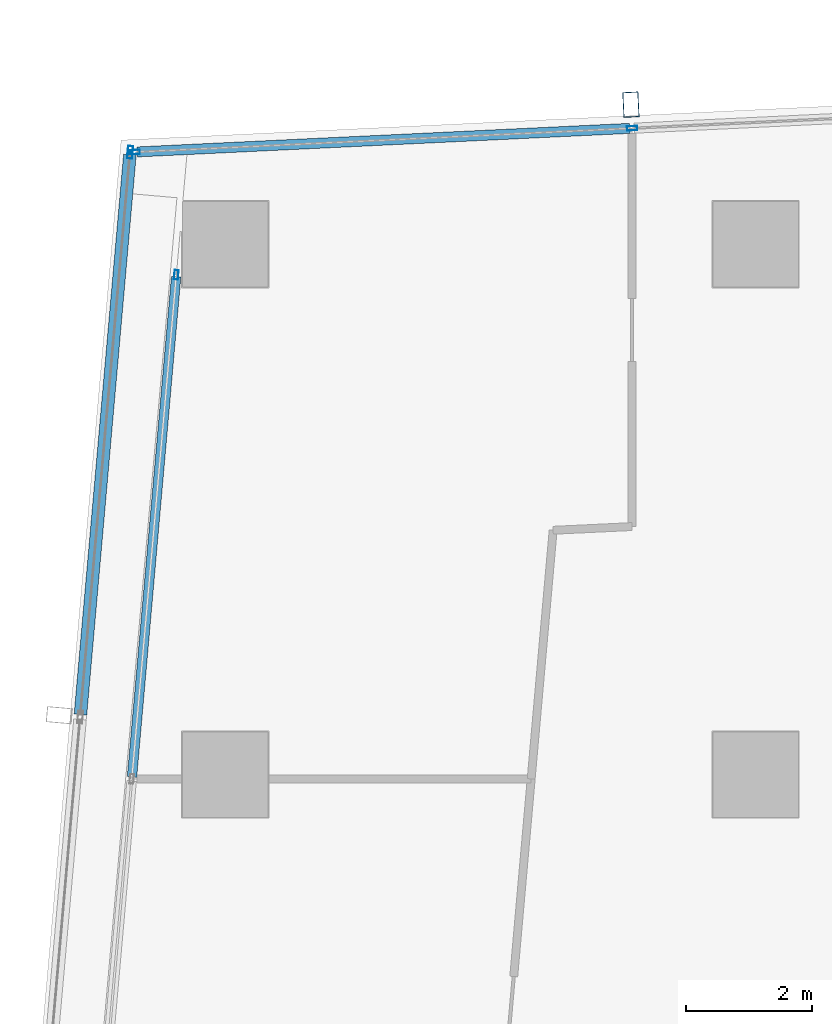
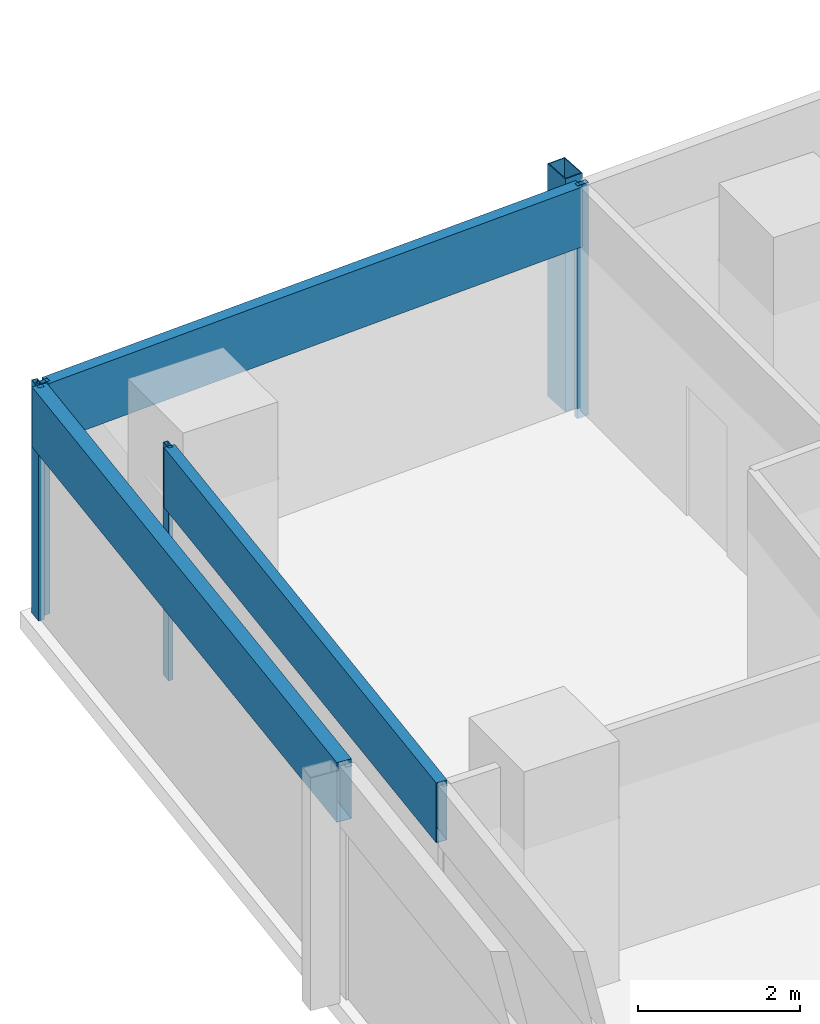
# One storey, part 17 of 39: 8 members, 3 elements without a shape of their own.
"""IFC4 building model written with IfcOpenShell, lengths in metres."""

from ifc_helpers import new_model, si_unit, direction, frame, origin, origin_2d, place, context, subcontext, project, spatial, hollow_rectangle, extrude, material, material_profile, profile_set, type_object, element, aggregate, save


model = new_model("IFC4")

# Units and contexts
model_context = context("Model", 3, precision=1e-05, world=origin(), true_north=direction((0.0, 1.0)))
body_context = subcontext(model_context, "Body", "Model", "MODEL_VIEW")
ifc_project = project(units=[si_unit("LENGTHUNIT", "METRE"), si_unit("AREAUNIT", "SQUARE_METRE"), si_unit("VOLUMEUNIT", "CUBIC_METRE"), si_unit("PLANEANGLEUNIT", "RADIAN"), si_unit("MASSUNIT", "GRAM", prefix="KILO")], contexts=[model_context])

# Site, building, storey
site_placement = place(None, origin())
site = spatial("IfcSite", under=ifc_project, at=site_placement, CompositionType="ELEMENT")
building_placement = place(site_placement, origin())
building = spatial("IfcBuilding", under=site, at=building_placement, Name="Rekha Terrace Tower", CompositionType="ELEMENT")
storey_placement = place(building_placement, frame((0.0, 0.0, 225.199951171875)))
storey = spatial("IfcBuildingStorey", under=building, at=storey_placement, Name="L57", CompositionType="ELEMENT", Elevation=225.199951171875)

# Curtain wall, member
ifc_material_1 = material(Name="Aluminium framing", Category="aluminium")
curtain_wall_type_1 = type_object("IfcCurtainWallType", Name="CW3 north unitised glazing", PredefinedType="USERDEFINED", material=ifc_material_1)
curtain_wall_1_placement = place(storey_placement, origin())
curtain_wall_1 = element("IfcCurtainWall", 1, at=curtain_wall_1_placement, inside=storey, type_object=curtain_wall_type_1, Name="CW3 unitised curtain wall", ObjectType="UNITISED CURTAIN WALL", PredefinedType="USERDEFINED")
ifc_material_2 = material(Name="Steel S355 with fluorocarbon finish", Category="steel")
ifc_material_profile_1 = material_profile(ifc_material_2, hollow_rectangle(XDim=0.25, YDim=0.39990234375, WallThickness=0.012451171875, at=origin_2d()), Name="RHS400x250x12.5")
ifc_profile_set_1 = profile_set([ifc_material_profile_1], Name="Steel S355 with fluorocarbon finish")
member_type_1 = type_object("IfcMemberType", Name="BL1 facade blade RHS 400 x 250", PredefinedType="USERDEFINED", material=ifc_profile_set_1)
member_1_placement = place(storey_placement, frame((14.824951171875, 61.01123046875, 0.0), z_axis=(0.0, 0.0, 1.0), x_axis=(-0.998858913274, -0.04775846913, 0.0)))
member_1 = element("IfcMember", 2, at=member_1_placement, type_object=member_type_1, Name="Facade blade", ObjectType="FACADE BLADE", PredefinedType="USERDEFINED", context=body_context, shape_type="SweptSolid", body=[
    extrude(hollow_rectangle(XDim=0.25, YDim=0.39990234375, WallThickness=0.012451171875, at=origin_2d()), origin(), (0.0, 0.0, 1.0), 3.5),
])

# Curtain wall, members
curtain_wall_type_2 = type_object("IfcCurtainWallType", Name="CW1 double skin inner glazing", PredefinedType="USERDEFINED", material=ifc_material_1)
curtain_wall_2_placement = place(storey_placement, origin())
curtain_wall_2 = element("IfcCurtainWall", 3, at=curtain_wall_2_placement, inside=storey, type_object=curtain_wall_type_2, Name="CW1 double skin inner glazing", ObjectType="DOUBLE SKIN INNER GLAZING", PredefinedType="USERDEFINED")
ifc_material_3 = material(Name="Aluminium mullion section", Category="aluminium")
ifc_material_profile_2 = material_profile(ifc_material_3, hollow_rectangle(XDim=0.06494140625, YDim=0.14990234375, WallThickness=0.00390625, at=origin_2d()), Name="AL RHS 65x150")
ifc_profile_set_2 = profile_set([ifc_material_profile_2], Name="Aluminium mullion section")
member_type_2 = type_object("IfcMemberType", Name="CW1 mullion RHS 65 x 150", PredefinedType="MULLION", material=ifc_profile_set_2)
member_2_placement = place(storey_placement, frame((7.625732421875, 58.316650390625, 0.0), z_axis=(0.0, 0.0, 1.0), x_axis=(0.996124185422, -0.087957985523, 0.0)))
member_2 = element("IfcMember", 4, at=member_2_placement, type_object=member_type_2, Name="CW1 mullion 1", PredefinedType="MULLION", context=body_context, shape_type="SweptSolid", body=[
    extrude(hollow_rectangle(XDim=0.06494140625, YDim=0.14990234375, WallThickness=0.00390625, at=origin_2d()), origin(), (0.0, 0.0, 1.0), 3.5),
])
ifc_material_4 = material(Name="Insulated aluminium spandrel box", Category="aluminium")
ifc_material_profile_3 = material_profile(ifc_material_4, hollow_rectangle(XDim=0.14990234375, YDim=0.89990234375, WallThickness=0.0029296875, at=origin_2d()), Name="AL SPANDREL BOX 150x900")
ifc_profile_set_3 = profile_set([ifc_material_profile_3], Name="Insulated aluminium spandrel box")
member_type_3 = type_object("IfcMemberType", Name="CW1 spandrel transom 150 x 900", PredefinedType="USERDEFINED", material=ifc_profile_set_3)
member_3_placement = place(storey_placement, frame((7.622802734375, 58.2841796875, 3.050048828125), z_axis=(-0.087941305291, -0.996125658149, 0.0), x_axis=(0.996125658149, -0.087941305291, 0.0)))
member_3 = element("IfcMember", 5, at=member_3_placement, type_object=member_type_3, Name="CW1 spandrel transom 1", ObjectType="TRANSOM", PredefinedType="USERDEFINED", context=body_context, shape_type="SweptSolid", body=[
    extrude(hollow_rectangle(XDim=0.14990234375, YDim=0.89990234375, WallThickness=0.0029296875, at=origin_2d()), origin(), (0.0, 0.0, 1.0), 7.950927734375),
])
aggregate(curtain_wall_2, [member_2, member_3])

curtain_wall_type_3 = type_object("IfcCurtainWallType", Name="CW2 double skin outer glazing", PredefinedType="USERDEFINED", material=ifc_material_1)
curtain_wall_3_placement = place(storey_placement, origin())
curtain_wall_3 = element("IfcCurtainWall", 6, at=curtain_wall_3_placement, inside=storey, type_object=curtain_wall_type_3, Name="CW2 double skin outer glazing", ObjectType="DOUBLE SKIN OUTER GLAZING", PredefinedType="USERDEFINED")
ifc_material_profile_4 = material_profile(ifc_material_3, hollow_rectangle(XDim=0.080078125, YDim=0.199951171875, WallThickness=0.00390625, at=origin_2d()), Name="AL RHS 80x200")
ifc_profile_set_4 = profile_set([ifc_material_profile_4], Name="Aluminium mullion section")
member_type_4 = type_object("IfcMemberType", Name="CW2 mullion RHS 80 x 200", PredefinedType="MULLION", material=ifc_profile_set_4)
member_4_placement = place(storey_placement, frame((6.8935546875, 60.257080078125, 0.0), z_axis=(0.0, 0.0, 1.0), x_axis=(0.996124185428, -0.087957985453, 0.0)))
member_4 = element("IfcMember", 7, at=member_4_placement, type_object=member_type_4, Name="CW2 mullion 1", PredefinedType="MULLION", context=body_context, shape_type="SweptSolid", body=[
    extrude(hollow_rectangle(XDim=0.080078125, YDim=0.199951171875, WallThickness=0.00390625, at=origin_2d()), origin(), (0.0, 0.0, 1.0), 3.5),
])
ifc_material_profile_5 = material_profile(ifc_material_4, hollow_rectangle(XDim=0.199951171875, YDim=0.89990234375, WallThickness=0.0029296875, at=origin_2d()), Name="AL SPANDREL BOX 200x900")
ifc_profile_set_5 = profile_set([ifc_material_profile_5], Name="Insulated aluminium spandrel box")
member_type_5 = type_object("IfcMemberType", Name="CW2 spandrel transom 200 x 900", PredefinedType="USERDEFINED", material=ifc_profile_set_5)
member_5_placement = place(storey_placement, frame((6.89013671875, 60.217041015625, 3.050048828125), z_axis=(-0.08797787529, -0.996122428951, 0.0), x_axis=(0.996122428951, -0.08797787529, 0.0)))
member_5 = element("IfcMember", 8, at=member_5_placement, type_object=member_type_5, Name="CW2 spandrel transom 1", ObjectType="TRANSOM", PredefinedType="USERDEFINED", context=body_context, shape_type="SweptSolid", body=[
    extrude(hollow_rectangle(XDim=0.199951171875, YDim=0.89990234375, WallThickness=0.0029296875, at=origin_2d()), origin(), (0.0, 0.0, 1.0), 8.8994140625),
])
aggregate(curtain_wall_3, [member_4, member_5])

# Member
ifc_material_profile_6 = material_profile(ifc_material_3, hollow_rectangle(XDim=0.070068359375, YDim=0.159912109375, WallThickness=0.00390625, at=origin_2d()), Name="AL RHS 70x160")
ifc_profile_set_6 = profile_set([ifc_material_profile_6], Name="Aluminium mullion section")
member_type_6 = type_object("IfcMemberType", Name="CW3 mullion RHS 70 x 160", PredefinedType="MULLION", material=ifc_profile_set_6)
member_6_placement = place(storey_placement, frame((14.843017578125, 60.63671875, 0.0), z_axis=(0.0, 0.0, 1.0), x_axis=(0.047758616983, -0.998858906204, 0.0)))
member_6 = element("IfcMember", 9, at=member_6_placement, type_object=member_type_6, Name="CW3 mullion 5", PredefinedType="MULLION", context=body_context, shape_type="SweptSolid", body=[
    extrude(hollow_rectangle(XDim=0.070068359375, YDim=0.159912109375, WallThickness=0.00390625, at=origin_2d()), origin(), (0.0, 0.0, 1.0), 3.5),
])

member_7_placement = place(storey_placement, frame((6.96875, 60.26025390625, 0.0), z_axis=(0.0, 0.0, 1.0), x_axis=(0.047758616983, -0.998858906204, 0.0)))
member_7 = element("IfcMember", 10, at=member_7_placement, type_object=member_type_6, Name="CW3 mullion 6", PredefinedType="MULLION", context=body_context, shape_type="SweptSolid", body=[
    extrude(hollow_rectangle(XDim=0.070068359375, YDim=0.159912109375, WallThickness=0.00390625, at=origin_2d()), origin(), (0.0, 0.0, 1.0), 3.5),
])

ifc_material_profile_7 = material_profile(ifc_material_4, hollow_rectangle(XDim=0.159912109375, YDim=0.89990234375, WallThickness=0.0029296875, at=origin_2d()), Name="AL SPANDREL BOX 160x900")
ifc_profile_set_7 = profile_set([ifc_material_profile_7], Name="Insulated aluminium spandrel box")
member_type_7 = type_object("IfcMemberType", Name="CW3 spandrel transom 160 x 900", PredefinedType="USERDEFINED", material=ifc_profile_set_7)
member_8_placement = place(storey_placement, frame((14.807861328125, 60.635009765625, 3.050048828125), z_axis=(-0.998859425172, -0.047747761666, 0.0), x_axis=(0.047747761666, -0.998859425172, 0.0)))
member_8 = element("IfcMember", 11, at=member_8_placement, type_object=member_type_7, Name="CW3 spandrel transom 5", ObjectType="TRANSOM", PredefinedType="USERDEFINED", context=body_context, shape_type="SweptSolid", body=[
    extrude(hollow_rectangle(XDim=0.159912109375, YDim=0.89990234375, WallThickness=0.0029296875, at=origin_2d()), origin(), (0.0, 0.0, 1.0), 7.81298828125),
])

aggregate(curtain_wall_1, [member_6, member_7, member_8, member_1])

save(model, "model.ifc")
